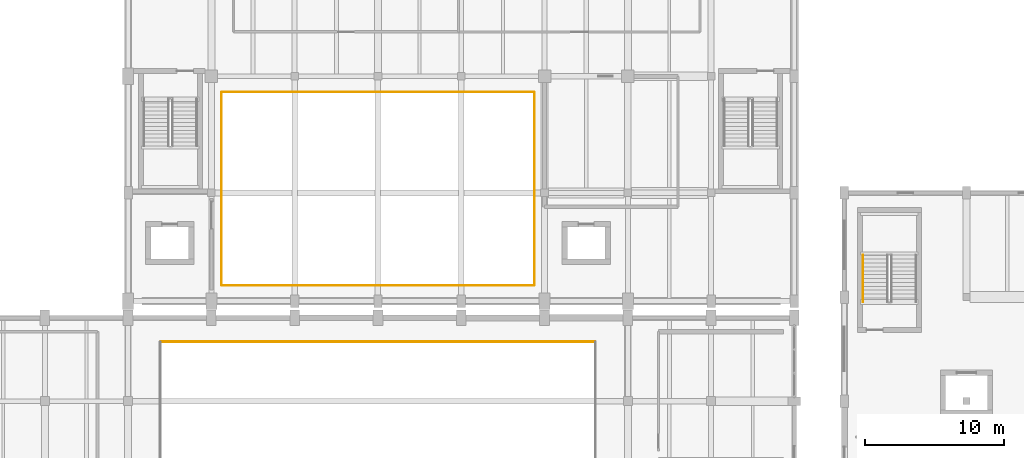
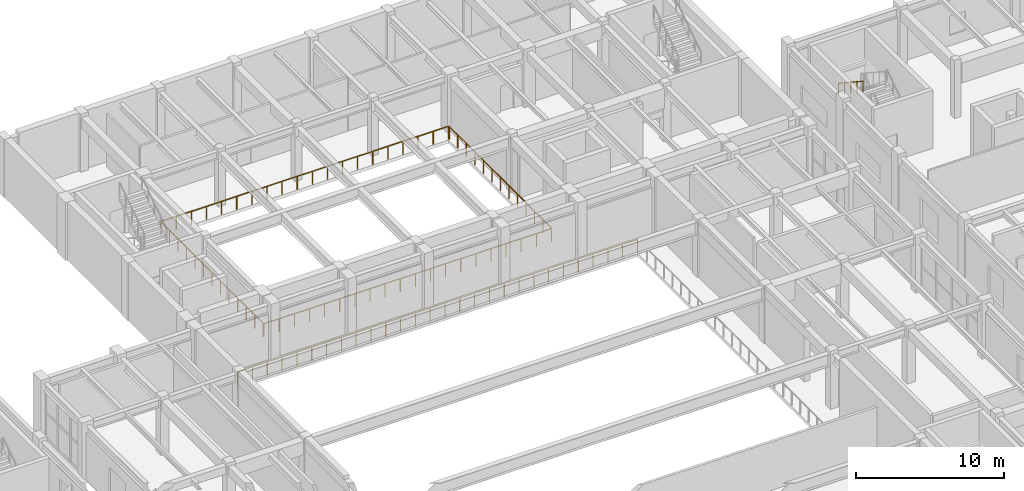
# One storey, part 78 of 80: 6 railings.
"""IFC4 building model written with IfcOpenShell, lengths in metres."""

from ifc_helpers import new_model, si_unit, direction, frame, origin, origin_2d, place, context, subcontext, project, spatial, circle, extrude, material, type_object, element, save


model = new_model("IFC4")

# Units and contexts
model_context = context("Model", 3, precision=1e-05, world=origin(), true_north=direction((0.0, 1.0)))
body_context = subcontext(model_context, "Body", "Model", "MODEL_VIEW")
ifc_project = project(units=[si_unit("LENGTHUNIT", "METRE"), si_unit("AREAUNIT", "SQUARE_METRE"), si_unit("VOLUMEUNIT", "CUBIC_METRE"), si_unit("PLANEANGLEUNIT", "RADIAN"), si_unit("MASSUNIT", "GRAM", prefix="KILO")], contexts=[model_context])

# Site, building, storey
site_placement = place(None, origin())
site = spatial("IfcSite", under=ifc_project, at=site_placement, CompositionType="ELEMENT")
building_placement = place(site_placement, origin())
building = spatial("IfcBuilding", under=site, at=building_placement, Name="Vaelkrest Opera House", CompositionType="ELEMENT")
storey_placement = place(building_placement, frame((0.0, 0.0, 15.0)))
storey = spatial("IfcBuildingStorey", under=building, at=storey_placement, Name="L03", CompositionType="ELEMENT", Elevation=15.0)

# Railings
ifc_material = material(Name="Dark bronze anodized aluminium", Category="aluminium")
railing_type_1 = type_object("IfcRailingType", Name="BL01", PredefinedType="BALUSTRADE", material=ifc_material)
railing_1_placement = place(storey_placement, frame((15.639892578125, 14.47998046875, 0.0)))
element("IfcRailing", 1, at=railing_1_placement, inside=storey, type_object=railing_type_1, Name="Atrium/stage void guard V1 L03-1 seg 3", PredefinedType="BALUSTRADE", context=body_context, shape_type="SweptSolid", body=[
    extrude(circle(Radius=0.02392578125, at=origin_2d()), frame((0.0, 0.0, 1.09619140625), z_axis=(-1.0, 0.0, 0.0), x_axis=(0.0, -1.0, 0.0)), (0.0, 0.0, 1.0), 31.27978515625),
    extrude(circle(Radius=0.02099609375, at=origin_2d()), origin(), (0.0, 0.0, 1.0), 1.072021484375),
    extrude(circle(Radius=0.02099609375, at=origin_2d()), frame((-1.158447265625, 0.0, 0.0)), (0.0, 0.0, 1.0), 1.072021484375),
    extrude(circle(Radius=0.02099609375, at=origin_2d()), frame((-2.317138671875, 0.0, 0.0)), (0.0, 0.0, 1.0), 1.072021484375),
    extrude(circle(Radius=0.02099609375, at=origin_2d()), frame((-3.4755859375, 0.0, 0.0)), (0.0, 0.0, 1.0), 1.072021484375),
    extrude(circle(Radius=0.02099609375, at=origin_2d()), frame((-4.634033203125, 0.0, 0.0)), (0.0, 0.0, 1.0), 1.072021484375),
    extrude(circle(Radius=0.02099609375, at=origin_2d()), frame((-5.79248046875, 0.0, 0.0)), (0.0, 0.0, 1.0), 1.072021484375),
    extrude(circle(Radius=0.02099609375, at=origin_2d()), frame((-6.951171875, 0.0, 0.0)), (0.0, 0.0, 1.0), 1.072021484375),
    extrude(circle(Radius=0.02099609375, at=origin_2d()), frame((-8.109619140625, 0.0, 0.0)), (0.0, 0.0, 1.0), 1.072021484375),
    extrude(circle(Radius=0.02099609375, at=origin_2d()), frame((-9.26806640625, 0.0, 0.0)), (0.0, 0.0, 1.0), 1.072021484375),
    extrude(circle(Radius=0.02099609375, at=origin_2d()), frame((-10.426513671875, 0.0, 0.0)), (0.0, 0.0, 1.0), 1.072021484375),
    extrude(circle(Radius=0.02099609375, at=origin_2d()), frame((-11.585205078125, 0.0, 0.0)), (0.0, 0.0, 1.0), 1.072021484375),
    extrude(circle(Radius=0.02099609375, at=origin_2d()), frame((-12.74365234375, 0.0, 0.0)), (0.0, 0.0, 1.0), 1.072021484375),
    extrude(circle(Radius=0.02099609375, at=origin_2d()), frame((-13.902099609375, 0.0, 0.0)), (0.0, 0.0, 1.0), 1.072021484375),
    extrude(circle(Radius=0.02099609375, at=origin_2d()), frame((-15.060546875, 0.0, 0.0)), (0.0, 0.0, 1.0), 1.072021484375),
    extrude(circle(Radius=0.02099609375, at=origin_2d()), frame((-16.21923828125, 0.0, 0.0)), (0.0, 0.0, 1.0), 1.072021484375),
    extrude(circle(Radius=0.02099609375, at=origin_2d()), frame((-17.377685546875, 0.0, 0.0)), (0.0, 0.0, 1.0), 1.072021484375),
    extrude(circle(Radius=0.02099609375, at=origin_2d()), frame((-18.5361328125, 0.0, 0.0)), (0.0, 0.0, 1.0), 1.072021484375),
    extrude(circle(Radius=0.02099609375, at=origin_2d()), frame((-19.694580078125, 0.0, 0.0)), (0.0, 0.0, 1.0), 1.072021484375),
    extrude(circle(Radius=0.02099609375, at=origin_2d()), frame((-20.853271484375, 0.0, 0.0)), (0.0, 0.0, 1.0), 1.072021484375),
    extrude(circle(Radius=0.02099609375, at=origin_2d()), frame((-22.01171875, 0.0, 0.0)), (0.0, 0.0, 1.0), 1.072021484375),
    extrude(circle(Radius=0.02099609375, at=origin_2d()), frame((-23.170166015625, 0.0, 0.0)), (0.0, 0.0, 1.0), 1.072021484375),
    extrude(circle(Radius=0.02099609375, at=origin_2d()), frame((-24.32861328125, 0.0, 0.0)), (0.0, 0.0, 1.0), 1.072021484375),
    extrude(circle(Radius=0.02099609375, at=origin_2d()), frame((-25.4873046875, 0.0, 0.0)), (0.0, 0.0, 1.0), 1.072021484375),
    extrude(circle(Radius=0.02099609375, at=origin_2d()), frame((-26.645751953125, 0.0, 0.0)), (0.0, 0.0, 1.0), 1.072021484375),
    extrude(circle(Radius=0.02099609375, at=origin_2d()), frame((-27.80419921875, 0.0, 0.0)), (0.0, 0.0, 1.0), 1.072021484375),
    extrude(circle(Radius=0.02099609375, at=origin_2d()), frame((-28.962646484375, 0.0, 0.0)), (0.0, 0.0, 1.0), 1.072021484375),
    extrude(circle(Radius=0.02099609375, at=origin_2d()), frame((-30.121337890625, 0.0, 0.0)), (0.0, 0.0, 1.0), 1.072021484375),
    extrude(circle(Radius=0.02099609375, at=origin_2d()), frame((-31.27978515625, 0.0, 0.0)), (0.0, 0.0, 1.0), 1.072021484375),
])
railing_type_2 = type_object("IfcRailingType", Name="GR01", PredefinedType="GUARDRAIL", material=ifc_material)
railing_2_placement = place(storey_placement, frame((-11.239990234375, 18.52001953125, 0.0)))
element("IfcRailing", 2, at=railing_2_placement, inside=storey, type_object=railing_type_2, Name="Atrium/stage void guard V2 L03-1 seg 1", PredefinedType="GUARDRAIL", context=body_context, shape_type="SweptSolid", body=[
    extrude(circle(Radius=0.02392578125, at=origin_2d()), frame((0.0, 0.0, 1.076171875), z_axis=(1.0, 0.0, 0.0), x_axis=(0.0, 1.0, 0.0)), (0.0, 0.0, 1.0), 22.47998046875),
    extrude(circle(Radius=0.02099609375, at=origin_2d()), origin(), (0.0, 0.0, 1.0), 1.052001953125),
    extrude(circle(Radius=0.02099609375, at=origin_2d()), frame((1.18310546875, 0.0, 0.0)), (0.0, 0.0, 1.0), 1.052001953125),
    extrude(circle(Radius=0.02099609375, at=origin_2d()), frame((2.3662109375, 0.0, 0.0)), (0.0, 0.0, 1.0), 1.052001953125),
    extrude(circle(Radius=0.02099609375, at=origin_2d()), frame((3.549560546875, 0.0, 0.0)), (0.0, 0.0, 1.0), 1.052001953125),
    extrude(circle(Radius=0.02099609375, at=origin_2d()), frame((4.732666015625, 0.0, 0.0)), (0.0, 0.0, 1.0), 1.052001953125),
    extrude(circle(Radius=0.02099609375, at=origin_2d()), frame((5.915771484375, 0.0, 0.0)), (0.0, 0.0, 1.0), 1.052001953125),
    extrude(circle(Radius=0.02099609375, at=origin_2d()), frame((7.098876953125, 0.0, 0.0)), (0.0, 0.0, 1.0), 1.052001953125),
    extrude(circle(Radius=0.02099609375, at=origin_2d()), frame((8.281982421875, 0.0, 0.0)), (0.0, 0.0, 1.0), 1.052001953125),
    extrude(circle(Radius=0.02099609375, at=origin_2d()), frame((9.46533203125, 0.0, 0.0)), (0.0, 0.0, 1.0), 1.052001953125),
    extrude(circle(Radius=0.02099609375, at=origin_2d()), frame((10.6484375, 0.0, 0.0)), (0.0, 0.0, 1.0), 1.052001953125),
    extrude(circle(Radius=0.02099609375, at=origin_2d()), frame((11.83154296875, 0.0, 0.0)), (0.0, 0.0, 1.0), 1.052001953125),
    extrude(circle(Radius=0.02099609375, at=origin_2d()), frame((13.0146484375, 0.0, 0.0)), (0.0, 0.0, 1.0), 1.052001953125),
    extrude(circle(Radius=0.02099609375, at=origin_2d()), frame((14.197998046875, 0.0, 0.0)), (0.0, 0.0, 1.0), 1.052001953125),
    extrude(circle(Radius=0.02099609375, at=origin_2d()), frame((15.381103515625, 0.0, 0.0)), (0.0, 0.0, 1.0), 1.052001953125),
    extrude(circle(Radius=0.02099609375, at=origin_2d()), frame((16.564208984375, 0.0, 0.0)), (0.0, 0.0, 1.0), 1.052001953125),
    extrude(circle(Radius=0.02099609375, at=origin_2d()), frame((17.747314453125, 0.0, 0.0)), (0.0, 0.0, 1.0), 1.052001953125),
    extrude(circle(Radius=0.02099609375, at=origin_2d()), frame((18.930419921875, 0.0, 0.0)), (0.0, 0.0, 1.0), 1.052001953125),
    extrude(circle(Radius=0.02099609375, at=origin_2d()), frame((20.11376953125, 0.0, 0.0)), (0.0, 0.0, 1.0), 1.052001953125),
    extrude(circle(Radius=0.02099609375, at=origin_2d()), frame((21.296875, 0.0, 0.0)), (0.0, 0.0, 1.0), 1.052001953125),
    extrude(circle(Radius=0.02099609375, at=origin_2d()), frame((22.47998046875, 0.0, 0.0)), (0.0, 0.0, 1.0), 1.052001953125),
])
railing_3_placement = place(storey_placement, frame((11.280029296875, 18.56005859375, 0.0)))
element("IfcRailing", 3, at=railing_3_placement, inside=storey, type_object=railing_type_2, Name="Atrium/stage void guard V2 L03-1 seg 2", PredefinedType="GUARDRAIL", context=body_context, shape_type="SweptSolid", body=[
    extrude(circle(Radius=0.02392578125, at=origin_2d()), frame((0.0, 0.0, 1.076171875), z_axis=(0.0, 1.0, 0.0), x_axis=(-1.0, 0.0, 0.0)), (0.0, 0.0, 1.0), 13.8798828125),
    extrude(circle(Radius=0.02099609375, at=origin_2d()), origin(), (0.0, 0.0, 1.0), 1.052001953125),
    extrude(circle(Radius=0.02099609375, at=origin_2d()), frame((0.0, 1.15673828125, 0.0)), (0.0, 0.0, 1.0), 1.052001953125),
    extrude(circle(Radius=0.02099609375, at=origin_2d()), frame((0.0, 2.313232421875, 0.0)), (0.0, 0.0, 1.0), 1.052001953125),
    extrude(circle(Radius=0.02099609375, at=origin_2d()), frame((0.0, 3.469970703125, 0.0)), (0.0, 0.0, 1.0), 1.052001953125),
    extrude(circle(Radius=0.02099609375, at=origin_2d()), frame((0.0, 4.626708984375, 0.0)), (0.0, 0.0, 1.0), 1.052001953125),
    extrude(circle(Radius=0.02099609375, at=origin_2d()), frame((0.0, 5.783203125, 0.0)), (0.0, 0.0, 1.0), 1.052001953125),
    extrude(circle(Radius=0.02099609375, at=origin_2d()), frame((0.0, 6.93994140625, 0.0)), (0.0, 0.0, 1.0), 1.052001953125),
    extrude(circle(Radius=0.02099609375, at=origin_2d()), frame((0.0, 8.0966796875, 0.0)), (0.0, 0.0, 1.0), 1.052001953125),
    extrude(circle(Radius=0.02099609375, at=origin_2d()), frame((0.0, 9.253173828125, 0.0)), (0.0, 0.0, 1.0), 1.052001953125),
    extrude(circle(Radius=0.02099609375, at=origin_2d()), frame((0.0, 10.409912109375, 0.0)), (0.0, 0.0, 1.0), 1.052001953125),
    extrude(circle(Radius=0.02099609375, at=origin_2d()), frame((0.0, 11.566650390625, 0.0)), (0.0, 0.0, 1.0), 1.052001953125),
    extrude(circle(Radius=0.02099609375, at=origin_2d()), frame((0.0, 12.72314453125, 0.0)), (0.0, 0.0, 1.0), 1.052001953125),
    extrude(circle(Radius=0.02099609375, at=origin_2d()), frame((0.0, 13.8798828125, 0.0)), (0.0, 0.0, 1.0), 1.052001953125),
])
railing_4_placement = place(storey_placement, frame((11.239990234375, 32.47998046875, 0.0)))
element("IfcRailing", 4, at=railing_4_placement, inside=storey, type_object=railing_type_2, Name="Atrium/stage void guard V2 L03-1 seg 3", PredefinedType="GUARDRAIL", context=body_context, shape_type="SweptSolid", body=[
    extrude(circle(Radius=0.02392578125, at=origin_2d()), frame((0.0, 0.0, 1.076171875), z_axis=(-1.0, 0.0, 0.0), x_axis=(0.0, -1.0, 0.0)), (0.0, 0.0, 1.0), 22.47998046875),
    extrude(circle(Radius=0.02099609375, at=origin_2d()), origin(), (0.0, 0.0, 1.0), 1.052001953125),
    extrude(circle(Radius=0.02099609375, at=origin_2d()), frame((-1.18310546875, 0.0, 0.0)), (0.0, 0.0, 1.0), 1.052001953125),
    extrude(circle(Radius=0.02099609375, at=origin_2d()), frame((-2.3662109375, 0.0, 0.0)), (0.0, 0.0, 1.0), 1.052001953125),
    extrude(circle(Radius=0.02099609375, at=origin_2d()), frame((-3.549560546875, 0.0, 0.0)), (0.0, 0.0, 1.0), 1.052001953125),
    extrude(circle(Radius=0.02099609375, at=origin_2d()), frame((-4.732666015625, 0.0, 0.0)), (0.0, 0.0, 1.0), 1.052001953125),
    extrude(circle(Radius=0.02099609375, at=origin_2d()), frame((-5.915771484375, 0.0, 0.0)), (0.0, 0.0, 1.0), 1.052001953125),
    extrude(circle(Radius=0.02099609375, at=origin_2d()), frame((-7.098876953125, 0.0, 0.0)), (0.0, 0.0, 1.0), 1.052001953125),
    extrude(circle(Radius=0.02099609375, at=origin_2d()), frame((-8.281982421875, 0.0, 0.0)), (0.0, 0.0, 1.0), 1.052001953125),
    extrude(circle(Radius=0.02099609375, at=origin_2d()), frame((-9.46533203125, 0.0, 0.0)), (0.0, 0.0, 1.0), 1.052001953125),
    extrude(circle(Radius=0.02099609375, at=origin_2d()), frame((-10.6484375, 0.0, 0.0)), (0.0, 0.0, 1.0), 1.052001953125),
    extrude(circle(Radius=0.02099609375, at=origin_2d()), frame((-11.83154296875, 0.0, 0.0)), (0.0, 0.0, 1.0), 1.052001953125),
    extrude(circle(Radius=0.02099609375, at=origin_2d()), frame((-13.0146484375, 0.0, 0.0)), (0.0, 0.0, 1.0), 1.052001953125),
    extrude(circle(Radius=0.02099609375, at=origin_2d()), frame((-14.197998046875, 0.0, 0.0)), (0.0, 0.0, 1.0), 1.052001953125),
    extrude(circle(Radius=0.02099609375, at=origin_2d()), frame((-15.381103515625, 0.0, 0.0)), (0.0, 0.0, 1.0), 1.052001953125),
    extrude(circle(Radius=0.02099609375, at=origin_2d()), frame((-16.564208984375, 0.0, 0.0)), (0.0, 0.0, 1.0), 1.052001953125),
    extrude(circle(Radius=0.02099609375, at=origin_2d()), frame((-17.747314453125, 0.0, 0.0)), (0.0, 0.0, 1.0), 1.052001953125),
    extrude(circle(Radius=0.02099609375, at=origin_2d()), frame((-18.930419921875, 0.0, 0.0)), (0.0, 0.0, 1.0), 1.052001953125),
    extrude(circle(Radius=0.02099609375, at=origin_2d()), frame((-20.11376953125, 0.0, 0.0)), (0.0, 0.0, 1.0), 1.052001953125),
    extrude(circle(Radius=0.02099609375, at=origin_2d()), frame((-21.296875, 0.0, 0.0)), (0.0, 0.0, 1.0), 1.052001953125),
    extrude(circle(Radius=0.02099609375, at=origin_2d()), frame((-22.47998046875, 0.0, 0.0)), (0.0, 0.0, 1.0), 1.052001953125),
])
railing_5_placement = place(storey_placement, frame((-11.280029296875, 32.43994140625, 0.0)))
element("IfcRailing", 5, at=railing_5_placement, inside=storey, type_object=railing_type_2, Name="Atrium/stage void guard V2 L03-1 seg 4", PredefinedType="GUARDRAIL", context=body_context, shape_type="SweptSolid", body=[
    extrude(circle(Radius=0.02392578125, at=origin_2d()), frame((0.0, 0.0, 1.076171875), z_axis=(0.0, -1.0, 0.0), x_axis=(1.0, 0.0, 0.0)), (0.0, 0.0, 1.0), 13.8798828125),
    extrude(circle(Radius=0.02099609375, at=origin_2d()), origin(), (0.0, 0.0, 1.0), 1.052001953125),
    extrude(circle(Radius=0.02099609375, at=origin_2d()), frame((0.0, -1.15673828125, 0.0)), (0.0, 0.0, 1.0), 1.052001953125),
    extrude(circle(Radius=0.02099609375, at=origin_2d()), frame((0.0, -2.313232421875, 0.0)), (0.0, 0.0, 1.0), 1.052001953125),
    extrude(circle(Radius=0.02099609375, at=origin_2d()), frame((0.0, -3.469970703125, 0.0)), (0.0, 0.0, 1.0), 1.052001953125),
    extrude(circle(Radius=0.02099609375, at=origin_2d()), frame((0.0, -4.626708984375, 0.0)), (0.0, 0.0, 1.0), 1.052001953125),
    extrude(circle(Radius=0.02099609375, at=origin_2d()), frame((0.0, -5.783203125, 0.0)), (0.0, 0.0, 1.0), 1.052001953125),
    extrude(circle(Radius=0.02099609375, at=origin_2d()), frame((0.0, -6.93994140625, 0.0)), (0.0, 0.0, 1.0), 1.052001953125),
    extrude(circle(Radius=0.02099609375, at=origin_2d()), frame((0.0, -8.0966796875, 0.0)), (0.0, 0.0, 1.0), 1.052001953125),
    extrude(circle(Radius=0.02099609375, at=origin_2d()), frame((0.0, -9.253173828125, 0.0)), (0.0, 0.0, 1.0), 1.052001953125),
    extrude(circle(Radius=0.02099609375, at=origin_2d()), frame((0.0, -10.409912109375, 0.0)), (0.0, 0.0, 1.0), 1.052001953125),
    extrude(circle(Radius=0.02099609375, at=origin_2d()), frame((0.0, -11.566650390625, 0.0)), (0.0, 0.0, 1.0), 1.052001953125),
    extrude(circle(Radius=0.02099609375, at=origin_2d()), frame((0.0, -12.72314453125, 0.0)), (0.0, 0.0, 1.0), 1.052001953125),
    extrude(circle(Radius=0.02099609375, at=origin_2d()), frame((0.0, -13.8798828125, 0.0)), (0.0, 0.0, 1.0), 1.052001953125),
])
railing_type_3 = type_object("IfcRailingType", Name="HR02", PredefinedType="HANDRAIL", material=ifc_material)
railing_6_placement = place(storey_placement, frame((34.949951171875, 20.7099609375, 2.584716796875)))
element("IfcRailing", 6, at=railing_6_placement, inside=storey, type_object=railing_type_3, Name="L03 ST09 stair handrail 2", PredefinedType="HANDRAIL", context=body_context, shape_type="SweptSolid", body=[
    extrude(circle(Radius=0.02392578125, at=origin_2d()), frame((0.0, 0.0, 0.8759765625), z_axis=(0.0, -0.834858096282, 0.550465220583), x_axis=(1.0, 0.0, 0.0)), (0.0, 0.0, 1.0), 4.0244140625),
    extrude(circle(Radius=0.02099609375, at=origin_2d()), origin(), (0.0, 0.0, 1.0), 0.851806640625),
    extrude(circle(Radius=0.02099609375, at=origin_2d()), frame((0.0, -0.83984375, 0.5537109375)), (0.0, 0.0, 1.0), 0.851806640625),
    extrude(circle(Radius=0.02099609375, at=origin_2d()), frame((0.0, -1.679931640625, 1.107666015625)), (0.0, 0.0, 1.0), 0.851806640625),
    extrude(circle(Radius=0.02099609375, at=origin_2d()), frame((0.0, -2.52001953125, 1.66162109375)), (0.0, 0.0, 1.0), 0.851806640625),
    extrude(circle(Radius=0.02099609375, at=origin_2d()), frame((0.0, -3.35986328125, 2.21533203125)), (0.0, 0.0, 1.0), 0.851806640625),
])

save(model, "model.ifc")
